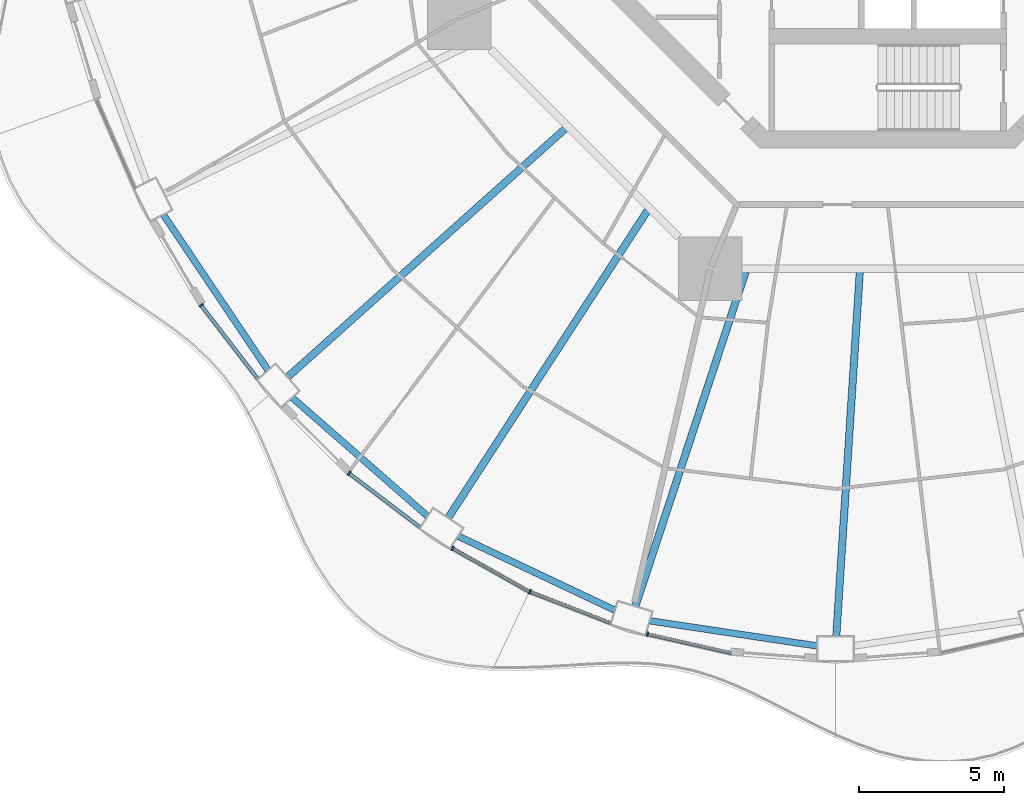
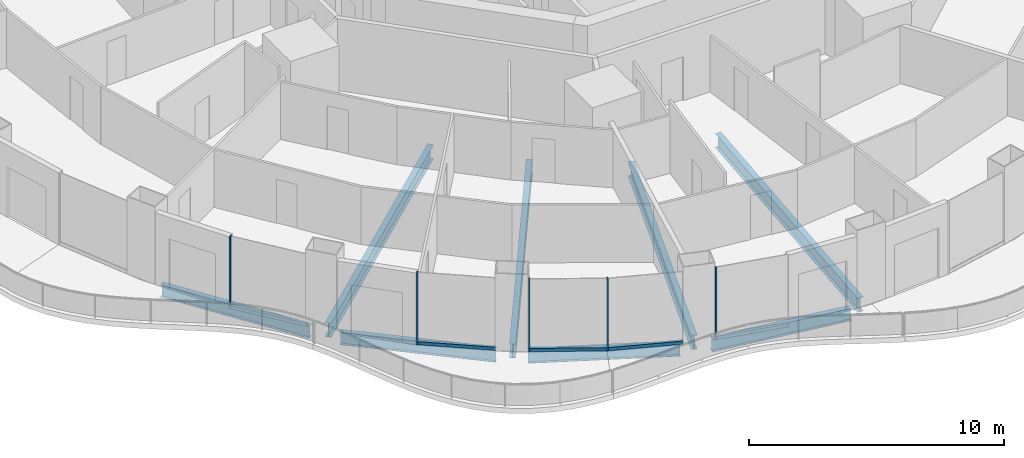
# One storey, part 2 of 22: 10 members, 8 beams, 5 elements without a shape of their own.
"""IFC4 building model written with IfcOpenShell, lengths in metres."""

from ifc_helpers import new_model, si_unit, direction, frame, origin, origin_2d, place, context, subcontext, project, spatial, rectangle, i_section, extrude, material, layer, layer_set, material_profile, profile_set, type_object, element, aggregate, save


model = new_model("IFC4")

# Units and contexts
model_context = context("Model", 3, precision=1e-05, world=origin(), true_north=direction((0.0, 1.0)))
body_context = subcontext(model_context, "Body", "Model", "MODEL_VIEW")
ifc_project = project(units=[si_unit("LENGTHUNIT", "METRE"), si_unit("AREAUNIT", "SQUARE_METRE"), si_unit("VOLUMEUNIT", "CUBIC_METRE"), si_unit("PLANEANGLEUNIT", "RADIAN"), si_unit("MASSUNIT", "GRAM", prefix="KILO")], contexts=[model_context])

# Site, building, storey
site_placement = place(None, origin())
site = spatial("IfcSite", under=ifc_project, at=site_placement, CompositionType="ELEMENT")
building_placement = place(site_placement, origin())
building = spatial("IfcBuilding", under=site, at=building_placement, Name="Nagisa Residences", CompositionType="ELEMENT")
storey_placement = place(building_placement, frame((0.0, 0.0, 106.60009765625)))
storey = spatial("IfcBuildingStorey", under=building, at=storey_placement, Name="L26", CompositionType="ELEMENT", Elevation=106.60009765625)

# Curtain wall, member
ifc_material_1 = material(Name="Concrete-coloured aluminium curtain wall system", Category="concrete")
ifc_layer = layer(ifc_material_1, 0.159912109375)
ifc_layer_set = layer_set([ifc_layer], Name="CW1 CURTAIN WALL")
curtain_wall_type = type_object("IfcCurtainWallType", Name="CW1 CURTAIN WALL", PredefinedType="NOTDEFINED", material=ifc_layer_set)
curtain_wall_1_placement = place(storey_placement, origin())
curtain_wall_1 = element("IfcCurtainWall", 1, at=curtain_wall_1_placement, inside=storey, type_object=curtain_wall_type, Name="cw:CW1:L26:29", PredefinedType="NOTDEFINED")
ifc_material_2 = material(Name="Concrete-coloured aluminium", Category="concrete")
ifc_material_profile_1 = material_profile(ifc_material_2, rectangle(XDim=0.159912109375, YDim=0.06005859375, at=origin_2d()), Name="CW1 MULLION 160x60")
ifc_profile_set_1 = profile_set([ifc_material_profile_1], Name="Concrete-coloured aluminium")
member_type_1 = type_object("IfcMemberType", Name="CW1 MULLION 160x60", PredefinedType="MULLION", material=ifc_profile_set_1)
member_1_placement = place(storey_placement, frame((-23.690185546875, -16.042236328125, 0.0), z_axis=(0.0, 0.0, 1.0), x_axis=(0.792070340816, 0.610429828235, 0.0)))
member_1 = element("IfcMember", 2, at=member_1_placement, type_object=member_type_1, Name="CW1 mullion", PredefinedType="MULLION", context=body_context, shape_type="SweptSolid", body=[
    extrude(rectangle(XDim=0.159912109375, YDim=0.06005859375, at=origin_2d()), origin(), (0.0, 0.0, 1.0), 3.43994140625),
])

curtain_wall_2_placement = place(storey_placement, origin())
curtain_wall_2 = element("IfcCurtainWall", 3, at=curtain_wall_2_placement, inside=storey, type_object=curtain_wall_type, Name="cw:CW1:L26:31", PredefinedType="NOTDEFINED")
member_2_placement = place(storey_placement, frame((-18.58740234375, -21.83935546875, 0.0), z_axis=(0.0, 0.0, 1.0), x_axis=(0.605255421737, 0.79603132756, 0.0)))
member_2 = element("IfcMember", 4, at=member_2_placement, type_object=member_type_1, Name="CW1 mullion", PredefinedType="MULLION", context=body_context, shape_type="SweptSolid", body=[
    extrude(rectangle(XDim=0.159912109375, YDim=0.06005859375, at=origin_2d()), origin(), (0.0, 0.0, 1.0), 3.43994140625),
])

curtain_wall_3_placement = place(storey_placement, origin())
curtain_wall_3 = element("IfcCurtainWall", 5, at=curtain_wall_3_placement, inside=storey, type_object=curtain_wall_type, Name="cw:CW1:L26:32", PredefinedType="NOTDEFINED")
member_3_placement = place(storey_placement, frame((-15.015380859375, -24.43798828125, 0.0), z_axis=(0.0, 0.0, 1.0), x_axis=(0.489376918501, 0.872072377523, 0.0)))
member_3 = element("IfcMember", 6, at=member_3_placement, type_object=member_type_1, Name="CW1 mullion", PredefinedType="MULLION", context=body_context, shape_type="SweptSolid", body=[
    extrude(rectangle(XDim=0.159912109375, YDim=0.06005859375, at=origin_2d()), origin(), (0.0, 0.0, 1.0), 3.43994140625),
])

curtain_wall_4_placement = place(storey_placement, origin())
curtain_wall_4 = element("IfcCurtainWall", 7, at=curtain_wall_4_placement, inside=storey, type_object=curtain_wall_type, Name="cw:CW1:L26:33", PredefinedType="NOTDEFINED")
member_4_placement = place(storey_placement, frame((-12.341552734375, -25.9345703125, 0.0), z_axis=(0.0, 0.0, 1.0), x_axis=(0.360327770268, 0.932825759707, 0.0)))
member_4 = element("IfcMember", 8, at=member_4_placement, type_object=member_type_1, Name="CW1 mullion", PredefinedType="MULLION", context=body_context, shape_type="SweptSolid", body=[
    extrude(rectangle(XDim=0.159912109375, YDim=0.06005859375, at=origin_2d()), origin(), (0.0, 0.0, 1.0), 3.43994140625),
])

curtain_wall_5_placement = place(storey_placement, origin())
curtain_wall_5 = element("IfcCurtainWall", 9, at=curtain_wall_5_placement, inside=storey, type_object=curtain_wall_type, Name="cw:CW1:L26:34", PredefinedType="NOTDEFINED")
member_5_placement = place(storey_placement, frame((-8.287109375, -27.3955078125, 0.0), z_axis=(0.0, 0.0, 1.0), x_axis=(0.2207639201, 0.975327274089, 0.0)))
member_5 = element("IfcMember", 10, at=member_5_placement, type_object=member_type_1, Name="CW1 mullion", PredefinedType="MULLION", context=body_context, shape_type="SweptSolid", body=[
    extrude(rectangle(XDim=0.159912109375, YDim=0.06005859375, at=origin_2d()), origin(), (0.0, 0.0, 1.0), 3.43994140625),
])

# Member
ifc_material_3 = material(Name="Concrete-coloured aluminium", Category="concrete")
ifc_material_profile_2 = material_profile(ifc_material_3, rectangle(XDim=0.1201171875, YDim=0.14990234375, at=origin_2d()), Name="CW1 TRANSOM 120x150")
ifc_profile_set_2 = profile_set([ifc_material_profile_2], Name="Concrete-coloured aluminium")
member_type_2 = type_object("IfcMemberType", Name="CW1 TRANSOM 120x150", PredefinedType="USERDEFINED", material=ifc_profile_set_2)
member_6_placement = place(storey_placement, frame((-23.70849609375, -16.0185546875, 0.074951171875), z_axis=(0.61041202934, -0.792084057684, 0.0), x_axis=(0.792084057684, 0.61041202934, 0.0)))
member_6 = element("IfcMember", 11, at=member_6_placement, type_object=member_type_2, Name="CW1 transom", ObjectType="TRANSOM", PredefinedType="USERDEFINED", context=body_context, shape_type="SweptSolid", body=[
    extrude(rectangle(XDim=0.1201171875, YDim=0.14990234375, at=origin_2d()), origin(), (0.0, 0.0, 1.0), 3.262939453125),
])

aggregate(curtain_wall_1, [member_1, member_6])

member_7_placement = place(storey_placement, frame((-18.611328125, -21.821044921875, 0.074951171875), z_axis=(0.796028580718, -0.605259034365, 0.0), x_axis=(0.605259034365, 0.796028580718, 0.0)))
member_7 = element("IfcMember", 12, at=member_7_placement, type_object=member_type_2, Name="CW1 transom", ObjectType="TRANSOM", PredefinedType="USERDEFINED", context=body_context, shape_type="SweptSolid", body=[
    extrude(rectangle(XDim=0.1201171875, YDim=0.14990234375, at=origin_2d()), origin(), (0.0, 0.0, 1.0), 3.134033203125),
])

aggregate(curtain_wall_2, [member_2, member_7])

member_8_placement = place(storey_placement, frame((-15.04150390625, -24.42333984375, 0.074951171875), z_axis=(0.872037280335, -0.489439456631, 0.0), x_axis=(0.489439456631, 0.872037280335, 0.0)))
member_8 = element("IfcMember", 13, at=member_8_placement, type_object=member_type_2, Name="CW1 transom", ObjectType="TRANSOM", PredefinedType="USERDEFINED", context=body_context, shape_type="SweptSolid", body=[
    extrude(rectangle(XDim=0.1201171875, YDim=0.14990234375, at=origin_2d()), origin(), (0.0, 0.0, 1.0), 3.07568359375),
])

aggregate(curtain_wall_3, [member_3, member_8])

member_9_placement = place(storey_placement, frame((-12.36962890625, -25.923828125, 0.074951171875), z_axis=(0.932837560624, -0.360297218263, 0.0), x_axis=(0.360297218263, 0.932837560624, 0.0)))
member_9 = element("IfcMember", 14, at=member_9_placement, type_object=member_type_2, Name="CW1 transom", ObjectType="TRANSOM", PredefinedType="USERDEFINED", context=body_context, shape_type="SweptSolid", body=[
    extrude(rectangle(XDim=0.1201171875, YDim=0.14990234375, at=origin_2d()), origin(), (0.0, 0.0, 1.0), 3.027587890625),
])

aggregate(curtain_wall_4, [member_4, member_9])

member_10_placement = place(storey_placement, frame((-8.31640625, -27.388916015625, 0.074951171875), z_axis=(0.975335171471, -0.220729026846, 0.0), x_axis=(0.220729026846, 0.975335171471, 0.0)))
member_10 = element("IfcMember", 15, at=member_10_placement, type_object=member_type_2, Name="CW1 transom", ObjectType="TRANSOM", PredefinedType="USERDEFINED", context=body_context, shape_type="SweptSolid", body=[
    extrude(rectangle(XDim=0.1201171875, YDim=0.14990234375, at=origin_2d()), origin(), (0.0, 0.0, 1.0), 2.992919921875),
])

aggregate(curtain_wall_5, [member_5, member_10])

# Beams
ifc_material_4 = material(Name="Steel ASTM A572 Gr 50", Category="steel")
ifc_material_profile_3 = material_profile(ifc_material_4, i_section(OverallWidth=0.22802734375, OverallDepth=0.60302734375, WebThickness=0.010498046875, FlangeThickness=0.014892578125, at=origin_2d()), Name="W610x101")
ifc_profile_set_3 = profile_set([ifc_material_profile_3], Name="Steel ASTM A572 Gr 50")
beam_type_1 = type_object("IfcBeamType", Name="Perimeter ring beam W610x101", PredefinedType="BEAM", material=ifc_profile_set_3)
beam_1_placement = place(storey_placement, frame((-24.9970703125, -12.91650390625, -0.5615234375), z_axis=(0.558203607151, -0.829704003222, 0.0), x_axis=(0.829704003222, 0.558203607151, 0.0)))
element("IfcBeam", 16, at=beam_1_placement, inside=storey, type_object=beam_type_1, Name="beam:L26:pb15", PredefinedType="BEAM", context=body_context, shape_type="SweptSolid", body=[
    extrude(i_section(OverallWidth=0.22802734375, OverallDepth=0.60302734375, WebThickness=0.010498046875, FlangeThickness=0.014892578125, at=origin_2d()), origin(), (0.0, 0.0, 1.0), 6.4716796875),
])
beam_2_placement = place(storey_placement, frame((-20.551513671875, -19.231689453125, -0.5615234375), z_axis=(0.752542612886, -0.658543556488, 0.0), x_axis=(0.658543556488, 0.752542612886, 0.0)))
element("IfcBeam", 17, at=beam_2_placement, inside=storey, type_object=beam_type_1, Name="beam:L26:pb16", PredefinedType="BEAM", context=body_context, shape_type="SweptSolid", body=[
    extrude(i_section(OverallWidth=0.22802734375, OverallDepth=0.60302734375, WebThickness=0.010498046875, FlangeThickness=0.014892578125, at=origin_2d()), origin(), (0.0, 0.0, 1.0), 6.212646484375),
])
beam_3_placement = place(storey_placement, frame((-14.822021484375, -24.013916015625, -0.5615234375), z_axis=(0.90418952838, -0.427131474804, 0.0), x_axis=(0.427131474804, 0.90418952838, 0.0)))
element("IfcBeam", 18, at=beam_3_placement, inside=storey, type_object=beam_type_1, Name="beam:L26:pb17", PredefinedType="BEAM", context=body_context, shape_type="SweptSolid", body=[
    extrude(i_section(OverallWidth=0.22802734375, OverallDepth=0.60302734375, WebThickness=0.010498046875, FlangeThickness=0.014892578125, at=origin_2d()), origin(), (0.0, 0.0, 1.0), 5.98046875),
])
beam_4_placement = place(storey_placement, frame((-8.20849609375, -26.93505859375, -0.5615234375), z_axis=(0.988913048607, -0.148495731568, 0.0), x_axis=(0.148495731568, 0.988913048607, 0.0)))
element("IfcBeam", 19, at=beam_4_placement, inside=storey, type_object=beam_type_1, Name="beam:L26:pb18", PredefinedType="BEAM", context=body_context, shape_type="SweptSolid", body=[
    extrude(i_section(OverallWidth=0.22802734375, OverallDepth=0.60302734375, WebThickness=0.010498046875, FlangeThickness=0.014892578125, at=origin_2d()), origin(), (0.0, 0.0, 1.0), 5.843017578125),
])
ifc_material_5 = material(Name="Steel ASTM A572 Gr 50", Category="steel")
ifc_material_profile_4 = material_profile(ifc_material_5, i_section(OverallWidth=0.2529296875, OverallDepth=0.677978515625, WebThickness=0.01171875, FlangeThickness=0.016357421875, at=origin_2d()), Name="W690x125")
ifc_profile_set_4 = profile_set([ifc_material_profile_4], Name="Steel ASTM A572 Gr 50")
beam_type_2 = type_object("IfcBeamType", Name="Radial beam W690x125", PredefinedType="BEAM", material=ifc_profile_set_4)
beam_5_placement = place(storey_placement, frame((-20.709228515625, -18.526611328125, -0.59912109375), z_axis=(0.745284973843, 0.666746059428, 0.0), x_axis=(-0.666746059428, 0.745284973843, 0.0)))
element("IfcBeam", 20, at=beam_5_placement, inside=storey, type_object=beam_type_2, Name="beam:L26:rb16", PredefinedType="BEAM", context=body_context, shape_type="SweptSolid", body=[
    extrude(i_section(OverallWidth=0.2529296875, OverallDepth=0.677978515625, WebThickness=0.01171875, FlangeThickness=0.016357421875, at=origin_2d()), origin(), (0.0, 0.0, 1.0), 12.869384765625),
])
beam_6_placement = place(storey_placement, frame((-15.16357421875, -23.38134765625, -0.59912109375), z_axis=(0.544121648903, 0.839006335611, 0.0), x_axis=(-0.839006335611, 0.544121648903, 0.0)))
element("IfcBeam", 21, at=beam_6_placement, inside=storey, type_object=beam_type_2, Name="beam:L26:rb17", PredefinedType="BEAM", context=body_context, shape_type="SweptSolid", body=[
    extrude(i_section(OverallWidth=0.2529296875, OverallDepth=0.677978515625, WebThickness=0.01171875, FlangeThickness=0.016357421875, at=origin_2d()), origin(), (0.0, 0.0, 1.0), 12.63818359375),
])
beam_7_placement = place(storey_placement, frame((-8.7041015625, -26.431884765625, -0.59912109375), z_axis=(0.312788454633, 0.94982281645, 0.0), x_axis=(-0.94982281645, 0.312788454633, 0.0)))
element("IfcBeam", 22, at=beam_7_placement, inside=storey, type_object=beam_type_2, Name="beam:L26:rb18", PredefinedType="BEAM", context=body_context, shape_type="SweptSolid", body=[
    extrude(i_section(OverallWidth=0.2529296875, OverallDepth=0.677978515625, WebThickness=0.01171875, FlangeThickness=0.016357421875, at=origin_2d()), origin(), (0.0, 0.0, 1.0), 12.145751953125),
])
beam_8_placement = place(storey_placement, frame((-1.772216796875, -27.46728515625, -0.59912109375), z_axis=(0.064392860553, 0.997924626167, 0.0), x_axis=(-0.997924626167, 0.064392860553, 0.0)))
element("IfcBeam", 23, at=beam_8_placement, inside=storey, type_object=beam_type_2, Name="beam:L26:rb19", PredefinedType="BEAM", context=body_context, shape_type="SweptSolid", body=[
    extrude(i_section(OverallWidth=0.2529296875, OverallDepth=0.677978515625, WebThickness=0.01171875, FlangeThickness=0.016357421875, at=origin_2d()), origin(), (0.0, 0.0, 1.0), 12.598876953125),
])

save(model, "model.ifc")
